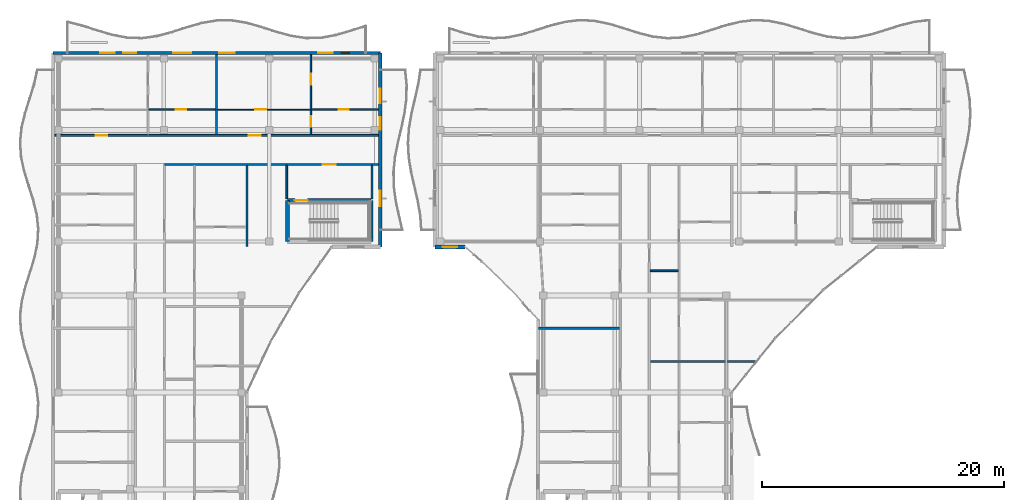
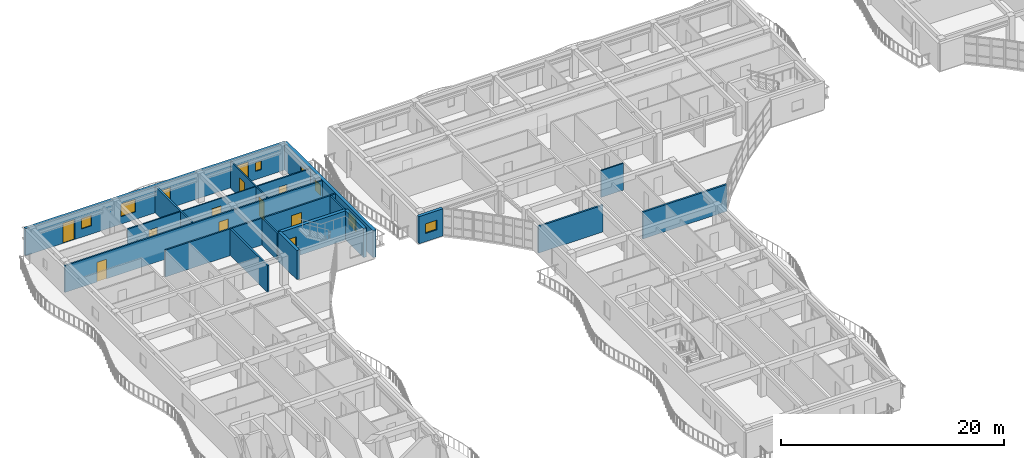
# One storey, part 35 of 76: 19 walls, 12 doors, 7 windows, 19 openings.
"""IFC4 building model written with IfcOpenShell, lengths in metres."""

from ifc_helpers import new_model, si_unit, direction, frame, frame_2d, origin, place, context, subcontext, project, spatial, rectangle, extrude, material, layer, layer_set, type_object, element, fill, save


model = new_model("IFC4")

# Units and contexts
model_context = context("Model", 3, precision=1e-05, world=origin(), true_north=direction((0.0, 1.0)))
body_context = subcontext(model_context, "Body", "Model", "MODEL_VIEW")
ifc_project = project(units=[si_unit("LENGTHUNIT", "METRE"), si_unit("AREAUNIT", "SQUARE_METRE"), si_unit("VOLUMEUNIT", "CUBIC_METRE"), si_unit("PLANEANGLEUNIT", "RADIAN"), si_unit("MASSUNIT", "GRAM", prefix="KILO")], contexts=[model_context])

# Site, building, storey
site_placement = place(None, origin())
site = spatial("IfcSite", under=ifc_project, at=site_placement, CompositionType="ELEMENT")
building_placement = place(site_placement, origin())
building = spatial("IfcBuilding", under=site, at=building_placement, Name="Keldmere Railside Commons", CompositionType="ELEMENT")
storey_placement = place(building_placement, frame((0.0, 0.0, 13.760009765625)))
storey = spatial("IfcBuildingStorey", under=building, at=storey_placement, Name="L04", CompositionType="ELEMENT", Elevation=13.760009765625)

# Walls
ifc_material_1 = material(Name="Acoustic Gypsum Board Partition", Category="gypsum")
ifc_layer_1 = layer(ifc_material_1, 0.179931640625, Name="Acoustic Demising Partition 180")
ifc_layer_set_1 = layer_set([ifc_layer_1], Name="Acoustic Gypsum Board Partition")
wall_type_1 = type_object("IfcWallType", Name="Acoustic Demising Partition 180", PredefinedType="PARTITIONING", material=ifc_layer_set_1)
wall_1_placement = place(storey_placement, frame((24.0, 100.050048828125, 0.0), z_axis=(0.0, 0.0, 1.0), x_axis=(0.0, 1.0, 0.0)))
element("IfcWall", 1, at=wall_1_placement, inside=storey, type_object=wall_type_1, Name="IW-1 IW-L04-0332", PredefinedType="PARTITIONING", context=body_context, shape_type="SweptSolid", body=[
    extrude(rectangle(XDim=6.669921875, YDim=0.179931640625, at=frame_2d((3.3349609375, 0.0))), origin(), (0.0, 0.0, 1.0), 2.93505859375),
])
wall_2_placement = place(storey_placement, frame((21.5, 109.280029296875, 0.0), z_axis=(0.0, 0.0, 1.0), x_axis=(0.0, 1.0, 0.0)))
element("IfcWall", 2, at=wall_2_placement, inside=storey, type_object=wall_type_1, Name="IW-1 IW-L04-0352", PredefinedType="PARTITIONING", context=body_context, shape_type="SweptSolid", body=[
    extrude(rectangle(XDim=6.590087890625, YDim=0.179931640625, at=frame_2d((3.294921875, 0.0))), origin(), (0.0, 0.0, 1.0), 2.93505859375),
])
wall_3_placement = place(storey_placement, frame((57.280029296875, 90.5400390625, 0.0), z_axis=(0.0, 0.0, 1.0), x_axis=(1.0, 0.0, 0.0)))
element("IfcWall", 3, at=wall_3_placement, inside=storey, type_object=wall_type_1, Name="IW-1 IW-L04-0649", PredefinedType="PARTITIONING", context=body_context, shape_type="SweptSolid", body=[
    extrude(rectangle(XDim=8.70654296875, YDim=0.179931640625, at=frame_2d((4.353271484375, 0.0))), origin(), (0.0, 0.0, 1.0), 2.93505859375),
])
wall_4_placement = place(storey_placement, frame((48.0400390625, 93.300048828125, 0.0), z_axis=(0.0, 0.0, 1.0), x_axis=(1.0, 0.0, 0.0)))
element("IfcWall", 4, at=wall_4_placement, inside=storey, type_object=wall_type_1, Name="IW-1 IW-L04-0676", PredefinedType="PARTITIONING", context=body_context, shape_type="SweptSolid", body=[
    extrude(rectangle(XDim=6.679931640625, YDim=0.179931640625, at=frame_2d((3.33984375, 0.0))), origin(), (0.0, 0.0, 1.0), 2.93505859375),
])

# Wall, openings, doors
ifc_layer_2 = layer(ifc_material_1, 0.1201171875, Name="Apartment Interior Partition 120")
ifc_layer_set_2 = layer_set([ifc_layer_2], Name="Acoustic Gypsum Board Partition")
wall_type_2 = type_object("IfcWallType", Name="Apartment Interior Partition 120", PredefinedType="PARTITIONING", material=ifc_layer_set_2)
wall_5_placement = place(storey_placement, frame((29.280029296875, 109.280029296875, 0.0), z_axis=(0.0, 0.0, 1.0), x_axis=(0.0, 1.0, 0.0)))
wall_5 = element("IfcWall", 5, at=wall_5_placement, inside=storey, type_object=wall_type_2, Name="IW-4 IW-L04-0356", PredefinedType="PARTITIONING", context=body_context, shape_type="SweptSolid", body=[
    extrude(rectangle(XDim=6.590087890625, YDim=0.1201171875, at=frame_2d((3.294921875, 0.0))), origin(), (0.0, 0.0, 1.0), 2.93505859375),
])
opening_1_placement = place(wall_5_placement, frame((0.656005859375, 0.0, 0.0)))
opening_1 = element("IfcOpeningElement", 6, at=opening_1_placement, cuts=wall_5, Name="Opening ID-04", PredefinedType="OPENING", context=body_context, shape_type="SweptSolid", body=[
    extrude(rectangle(XDim=0.860107421875, YDim=2.10009765625, at=frame_2d((0.43017578125, 1.050048828125))), frame((0.0, 0.070068359375, 0.0), z_axis=(0.0, -1.0, 0.0), x_axis=(1.0, 0.0, 0.0)), (0.0, 0.0, 1.0), 0.14013671875),
])
opening_2_placement = place(wall_5_placement, frame((4.093017578125, 0.0, 0.0)))
opening_2 = element("IfcOpeningElement", 7, at=opening_2_placement, cuts=wall_5, Name="Opening ID-01", PredefinedType="OPENING", context=body_context, shape_type="SweptSolid", body=[
    extrude(rectangle(XDim=0.89990234375, YDim=2.10009765625, at=frame_2d((0.449951171875, 1.050048828125))), frame((0.0, 0.070068359375, 0.0), z_axis=(0.0, -1.0, 0.0), x_axis=(1.0, 0.0, 0.0)), (0.0, 0.0, 1.0), 0.14013671875),
])
ifc_material_2 = material(Name="Engineered Oak Timber", Category="wood")
door_type_1 = type_object("IfcDoorType", Name="Apartment Bathroom Door 860x2100", OperationType="NOTDEFINED", PredefinedType="DOOR", material=ifc_material_2)
door_1_placement = place(opening_1_placement, origin())
door_1 = element("IfcDoor", 8, at=door_1_placement, inside=storey, type_object=door_type_1, Name="ID-04 IDR-L04-0263", OperationType="SINGLE_SWING_LEFT", OverallHeight=2.10009765625, OverallWidth=0.860107421875, PredefinedType="DOOR", context=body_context, shape_type="SweptSolid", body=[
    extrude(rectangle(XDim=0.860107421875, YDim=2.10009765625, at=frame_2d((0.43017578125, 1.050048828125))), frame((0.0, 0.02490234375, 0.0), z_axis=(0.0, -1.0, 0.0), x_axis=(1.0, 0.0, 0.0)), (0.0, 0.0, 1.0), 0.050048828125),
])
fill(opening_1, door_1)
door_type_2 = type_object("IfcDoorType", Name="Primary Bedroom Door 900x2100", OperationType="NOTDEFINED", PredefinedType="DOOR", material=ifc_material_2)
door_2_placement = place(opening_2_placement, origin())
door_2 = element("IfcDoor", 9, at=door_2_placement, inside=storey, type_object=door_type_2, Name="ID-01 IDR-L04-0264", OperationType="SINGLE_SWING_RIGHT", OverallHeight=2.10009765625, OverallWidth=0.89990234375, PredefinedType="DOOR", context=body_context, shape_type="SweptSolid", body=[
    extrude(rectangle(XDim=0.89990234375, YDim=2.10009765625, at=frame_2d((0.449951171875, 1.050048828125))), frame((0.0, 0.02490234375, 0.0), z_axis=(0.0, -1.0, 0.0), x_axis=(1.0, 0.0, 0.0)), (0.0, 0.0, 1.0), 0.050048828125),
])
fill(opening_2, door_2)

# Wall, opening, door
ifc_layer_3 = layer(ifc_material_1, 0.10009765625, Name="Closet Light Partition 100")
ifc_layer_set_3 = layer_set([ifc_layer_3], Name="Acoustic Gypsum Board Partition")
wall_type_3 = type_object("IfcWallType", Name="Closet Light Partition 100", PredefinedType="PARTITIONING", material=ifc_layer_set_3)
wall_6_placement = place(storey_placement, frame((21.590087890625, 111.330078125, 0.0), z_axis=(0.0, 0.0, 1.0), x_axis=(1.0, 0.0, 0.0)))
wall_6 = element("IfcWall", 10, at=wall_6_placement, inside=storey, type_object=wall_type_3, Name="IW-6 IW-L04-0358", PredefinedType="PARTITIONING", context=body_context, shape_type="SweptSolid", body=[
    extrude(rectangle(XDim=7.6298828125, YDim=0.10009765625, at=frame_2d((3.81494140625, 0.0))), origin(), (0.0, 0.0, 1.0), 2.93505859375),
])
opening_3_placement = place(wall_6_placement, frame((3.075927734375, 0.0, 0.0)))
opening_3 = element("IfcOpeningElement", 11, at=opening_3_placement, cuts=wall_6, Name="Opening ID-03", PredefinedType="OPENING", context=body_context, shape_type="SweptSolid", body=[
    extrude(rectangle(XDim=0.919921875, YDim=2.10009765625, at=frame_2d((0.4599609375, 1.050048828125))), frame((0.0, 0.06005859375, 0.0), z_axis=(0.0, -1.0, 0.0), x_axis=(1.0, 0.0, 0.0)), (0.0, 0.0, 1.0), 0.1201171875),
])
door_type_3 = type_object("IfcDoorType", Name="Kitchen Pocket-Frame Swing Door 920x2100", OperationType="NOTDEFINED", PredefinedType="DOOR", material=ifc_material_2)
door_3_placement = place(opening_3_placement, origin())
door_3 = element("IfcDoor", 12, at=door_3_placement, inside=storey, type_object=door_type_3, Name="ID-03 IDR-L04-0262", OperationType="SINGLE_SWING_RIGHT", OverallHeight=2.10009765625, OverallWidth=0.919921875, PredefinedType="DOOR", context=body_context, shape_type="SweptSolid", body=[
    extrude(rectangle(XDim=0.919921875, YDim=2.10009765625, at=frame_2d((0.4599609375, 1.050048828125))), frame((0.0, 0.02490234375, 0.0), z_axis=(0.0, -1.0, 0.0), x_axis=(1.0, 0.0, 0.0)), (0.0, 0.0, 1.0), 0.050048828125),
])
fill(opening_3, door_3)

ifc_layer_4 = layer(ifc_material_1, 0.159912109375, Name="Corridor Fire Partition 160")
ifc_layer_set_4 = layer_set([ifc_layer_4], Name="Acoustic Gypsum Board Partition")
wall_type_4 = type_object("IfcWallType", Name="Corridor Fire Partition 160", PredefinedType="PARTITIONING", material=ifc_layer_set_4)
wall_7_placement = place(storey_placement, frame((17.199951171875, 106.800048828125, 0.0), z_axis=(0.0, 0.0, 1.0), x_axis=(1.0, 0.0, 0.0)))
wall_7 = element("IfcWall", 13, at=wall_7_placement, inside=storey, type_object=wall_type_4, Name="IW-2 IW-L04-0330", PredefinedType="PARTITIONING", context=body_context, shape_type="SweptSolid", body=[
    extrude(rectangle(XDim=17.64013671875, YDim=0.159912109375, at=frame_2d((8.820068359375, 0.0))), origin(), (0.0, 0.0, 1.0), 2.93505859375),
])
opening_4_placement = place(wall_7_placement, frame((13.074951171875, 0.0, 0.0)))
opening_4 = element("IfcOpeningElement", 14, at=opening_4_placement, cuts=wall_7, Name="Opening FD-1", PredefinedType="OPENING", context=body_context, shape_type="SweptSolid", body=[
    extrude(rectangle(XDim=1.050048828125, YDim=2.14990234375, at=frame_2d((0.52490234375, 1.074951171875))), frame((0.0, 0.08984375, 0.0), z_axis=(0.0, -1.0, 0.0), x_axis=(1.0, 0.0, 0.0)), (0.0, 0.0, 1.0), 0.179931640625),
])
ifc_material_3 = material(Name="Steel F-24 (S235)", Category="steel")
door_type_4 = type_object("IfcDoorType", Name="Stair Core Fire Door 1050x2150", OperationType="NOTDEFINED", PredefinedType="DOOR", material=ifc_material_3)
door_4_placement = place(opening_4_placement, origin())
door_4 = element("IfcDoor", 15, at=door_4_placement, inside=storey, type_object=door_type_4, Name="FD-1 IDR-L04-0235", OperationType="SINGLE_SWING_LEFT", OverallHeight=2.14990234375, OverallWidth=1.050048828125, PredefinedType="DOOR", context=body_context, shape_type="SweptSolid", body=[
    extrude(rectangle(XDim=1.050048828125, YDim=2.14990234375, at=frame_2d((0.52490234375, 1.074951171875))), frame((0.0, 0.02490234375, 0.0), z_axis=(0.0, -1.0, 0.0), x_axis=(1.0, 0.0, 0.0)), (0.0, 0.0, 1.0), 0.050048828125),
])
fill(opening_4, door_4)

# Wall, openings, doors
wall_8_placement = place(storey_placement, frame((8.159912109375, 109.199951171875, 0.0), z_axis=(0.0, 0.0, 1.0), x_axis=(1.0, 0.0, 0.0)))
wall_8 = element("IfcWall", 16, at=wall_8_placement, inside=storey, type_object=wall_type_4, Name="IW-2 IW-L04-0331", PredefinedType="PARTITIONING", context=body_context, shape_type="SweptSolid", body=[
    extrude(rectangle(XDim=26.68017578125, YDim=0.159912109375, at=frame_2d((13.340087890625, 0.0))), origin(), (0.0, 0.0, 1.0), 2.93505859375),
])
opening_5_placement = place(wall_8_placement, frame((3.35009765625, 0.0, 0.0)))
opening_5 = element("IfcOpeningElement", 17, at=opening_5_placement, cuts=wall_8, Name="Opening FD-7", PredefinedType="OPENING", context=body_context, shape_type="SweptSolid", body=[
    extrude(rectangle(XDim=0.97998046875, YDim=2.14990234375, at=frame_2d((0.489990234375, 1.074951171875))), frame((0.0, 0.08984375, 0.0), z_axis=(0.0, -1.0, 0.0), x_axis=(1.0, 0.0, 0.0)), (0.0, 0.0, 1.0), 0.179931640625),
])
opening_6_placement = place(wall_8_placement, frame((15.985107421875, 0.0, 0.0)))
opening_6 = element("IfcOpeningElement", 18, at=opening_6_placement, cuts=wall_8, Name="Opening FD-7", PredefinedType="OPENING", context=body_context, shape_type="SweptSolid", body=[
    extrude(rectangle(XDim=0.97998046875, YDim=2.14990234375, at=frame_2d((0.489990234375, 1.074951171875))), frame((0.0, 0.08984375, 0.0), z_axis=(0.0, -1.0, 0.0), x_axis=(1.0, 0.0, 0.0)), (0.0, 0.0, 1.0), 0.179931640625),
])
door_type_5 = type_object("IfcDoorType", Name="Apartment Entrance Acoustic Fire Door 980x2150", OperationType="NOTDEFINED", PredefinedType="DOOR", material=ifc_material_2)
door_5_placement = place(opening_5_placement, origin())
door_5 = element("IfcDoor", 19, at=door_5_placement, inside=storey, type_object=door_type_5, Name="FD-7 IDR-L04-0256", OperationType="SINGLE_SWING_RIGHT", OverallHeight=2.14990234375, OverallWidth=0.97998046875, PredefinedType="DOOR", context=body_context, shape_type="SweptSolid", body=[
    extrude(rectangle(XDim=0.97998046875, YDim=2.14990234375, at=frame_2d((0.489990234375, 1.074951171875))), frame((0.0, 0.02490234375, 0.0), z_axis=(0.0, -1.0, 0.0), x_axis=(1.0, 0.0, 0.0)), (0.0, 0.0, 1.0), 0.050048828125),
])
fill(opening_5, door_5)
door_6_placement = place(opening_6_placement, origin())
door_6 = element("IfcDoor", 20, at=door_6_placement, inside=storey, type_object=door_type_5, Name="FD-7 IDR-L04-0261", OperationType="SINGLE_SWING_LEFT", OverallHeight=2.14990234375, OverallWidth=0.97998046875, PredefinedType="DOOR", context=body_context, shape_type="SweptSolid", body=[
    extrude(rectangle(XDim=0.97998046875, YDim=2.14990234375, at=frame_2d((0.489990234375, 1.074951171875))), frame((0.0, 0.02490234375, 0.0), z_axis=(0.0, -1.0, 0.0), x_axis=(1.0, 0.0, 0.0)), (0.0, 0.0, 1.0), 0.050048828125),
])
fill(opening_6, door_6)

# Wall, openings, windows, door
ifc_material_4 = material(Name="Concrete H-35 (C35/45)", Category="concrete")
ifc_layer_5 = layer(ifc_material_4, 0.320068359375, Name="Exterior Shear Wall 320")
ifc_layer_set_5 = layer_set([ifc_layer_5], Name="Concrete H-35 (C35/45)")
wall_type_5 = type_object("IfcWallType", Name="Exterior Shear Wall 320", PredefinedType="SHEAR", material=ifc_layer_set_5)
wall_9_placement = place(storey_placement, frame((35.0, 116.0, 0.0), z_axis=(0.0, 0.0, 1.0), x_axis=(0.0, -1.0, 0.0)))
wall_9 = element("IfcWall", 21, at=wall_9_placement, inside=storey, type_object=wall_type_5, Name="ESW-2 EXTD-L04-0153", PredefinedType="SHEAR", context=body_context, shape_type="SweptSolid", body=[
    extrude(rectangle(XDim=16.0, YDim=0.320068359375, at=frame_2d((8.0, 0.0))), origin(), (0.0, 0.0, 1.0), 2.97998046875),
])
opening_7_placement = place(wall_9_placement, frame((2.949951171875, 0.0, 0.0)))
opening_7 = element("IfcOpeningElement", 22, at=opening_7_placement, cuts=wall_9, Name="Opening BD-01", PredefinedType="OPENING", context=body_context, shape_type="SweptSolid", body=[
    extrude(rectangle(XDim=1.199951171875, YDim=2.199951171875, at=frame_2d((0.60009765625, 1.10009765625))), frame((0.0, 0.169921875, 0.0), z_axis=(0.0, -1.0, 0.0), x_axis=(1.0, 0.0, 0.0)), (0.0, 0.0, 1.0), 0.340087890625),
])
opening_8_placement = place(wall_9_placement, frame((5.300048828125, 0.0, 0.89990234375)))
opening_8 = element("IfcOpeningElement", 23, at=opening_8_placement, cuts=wall_9, Name="Opening WN-13", PredefinedType="OPENING", context=body_context, shape_type="SweptSolid", body=[
    extrude(rectangle(XDim=1.050048828125, YDim=1.14990234375, at=frame_2d((0.52490234375, 0.574951171875))), frame((0.0, 0.169921875, 0.0), z_axis=(0.0, -1.0, 0.0), x_axis=(1.0, 0.0, 0.0)), (0.0, 0.0, 1.0), 0.340087890625),
])
opening_9_placement = place(wall_9_placement, frame((11.35009765625, 0.0, 0.820068359375)))
opening_9 = element("IfcOpeningElement", 24, at=opening_9_placement, cuts=wall_9, Name="Opening WN-10", PredefinedType="OPENING", context=body_context, shape_type="SweptSolid", body=[
    extrude(rectangle(XDim=1.300048828125, YDim=1.39990234375, at=frame_2d((0.64990234375, 0.699951171875))), frame((0.0, 0.169921875, 0.0), z_axis=(0.0, -1.0, 0.0), x_axis=(1.0, 0.0, 0.0)), (0.0, 0.0, 1.0), 0.340087890625),
])
ifc_material_5 = material(Name="Low-E Insulated Double Glazing", Category="glass")
window_type_1 = type_object("IfcWindowType", Name="Apartment Kitchen Casement Window 1050x1150", PartitioningType="SINGLE_PANEL", PredefinedType="WINDOW", material=ifc_material_5)
window_1_placement = place(opening_8_placement, origin())
window_1 = element("IfcWindow", 25, at=window_1_placement, inside=storey, type_object=window_type_1, Name="WN-13 WIN-L04-0088", OverallHeight=1.14990234375, OverallWidth=1.050048828125, PartitioningType="SINGLE_PANEL", PredefinedType="WINDOW", context=body_context, shape_type="SweptSolid", body=[
    extrude(rectangle(XDim=1.050048828125, YDim=1.14990234375, at=frame_2d((0.52490234375, 0.574951171875))), frame((0.0, 0.030029296875, 0.0), z_axis=(0.0, -1.0, 0.0), x_axis=(1.0, 0.0, 0.0)), (0.0, 0.0, 1.0), 0.06005859375),
])
fill(opening_8, window_1)
ifc_material_6 = material(Name="Thermally Broken Aluminium", Category="aluminium")
door_type_6 = type_object("IfcDoorType", Name="Apartment Living Wave-Balcony Glazed Door 1200x2200", OperationType="NOTDEFINED", PredefinedType="DOOR", material=ifc_material_6)
door_7_placement = place(opening_7_placement, origin())
door_7 = element("IfcDoor", 26, at=door_7_placement, inside=storey, type_object=door_type_6, Name="BD-01 DR-L04-0027", OperationType="SINGLE_SWING_LEFT", OverallHeight=2.199951171875, OverallWidth=1.199951171875, PredefinedType="DOOR", context=body_context, shape_type="SweptSolid", body=[
    extrude(rectangle(XDim=1.199951171875, YDim=2.199951171875, at=frame_2d((0.60009765625, 1.10009765625))), frame((0.0, 0.02490234375, 0.0), z_axis=(0.0, -1.0, 0.0), x_axis=(1.0, 0.0, 0.0)), (0.0, 0.0, 1.0), 0.050048828125),
])
fill(opening_7, door_7)
window_type_2 = type_object("IfcWindowType", Name="Secondary Bedroom Court Window 1300x1400", PartitioningType="SINGLE_PANEL", PredefinedType="WINDOW", material=ifc_material_5)
window_2_placement = place(opening_9_placement, origin())
window_2 = element("IfcWindow", 27, at=window_2_placement, inside=storey, type_object=window_type_2, Name="WN-10 WIN-L04-0089", OverallHeight=1.39990234375, OverallWidth=1.300048828125, PartitioningType="SINGLE_PANEL", PredefinedType="WINDOW", context=body_context, shape_type="SweptSolid", body=[
    extrude(rectangle(XDim=1.300048828125, YDim=1.39990234375, at=frame_2d((0.64990234375, 0.699951171875))), frame((0.0, 0.030029296875, 0.0), z_axis=(0.0, -1.0, 0.0), x_axis=(1.0, 0.0, 0.0)), (0.0, 0.0, 1.0), 0.06005859375),
])
fill(opening_9, window_2)

# Wall, opening, window
wall_10_placement = place(storey_placement, frame((42.0, 100.0, 0.0), z_axis=(0.0, 0.0, 1.0), x_axis=(-1.0, 0.0, 0.0)))
wall_10 = element("IfcWall", 28, at=wall_10_placement, inside=storey, type_object=wall_type_5, Name="ESW-2 EXTC-L04-0359", PredefinedType="SHEAR", context=body_context, shape_type="SweptSolid", body=[
    extrude(rectangle(XDim=2.5, YDim=0.320068359375, at=frame_2d((1.25, 0.0))), origin(), (0.0, 0.0, 1.0), 2.97998046875),
])
opening_10_placement = place(wall_10_placement, frame((0.64990234375, 0.0, 0.89990234375)))
opening_10 = element("IfcOpeningElement", 29, at=opening_10_placement, cuts=wall_10, Name="Opening WN-14", PredefinedType="OPENING", context=body_context, shape_type="SweptSolid", body=[
    extrude(rectangle(XDim=1.199951171875, YDim=1.050048828125, at=frame_2d((0.60009765625, 0.52490234375))), frame((0.0, 0.169921875, 0.0), z_axis=(0.0, -1.0, 0.0), x_axis=(1.0, 0.0, 0.0)), (0.0, 0.0, 1.0), 0.340087890625),
])
window_type_3 = type_object("IfcWindowType", Name="Apartment Kitchen Ribbon Window 1200x1050", PartitioningType="SINGLE_PANEL", PredefinedType="WINDOW", material=ifc_material_5)
window_3_placement = place(opening_10_placement, origin())
window_3 = element("IfcWindow", 30, at=window_3_placement, inside=storey, type_object=window_type_3, Name="WN-14 WIN-L04-0243", OverallHeight=1.050048828125, OverallWidth=1.199951171875, PartitioningType="SINGLE_PANEL", PredefinedType="WINDOW", context=body_context, shape_type="SweptSolid", body=[
    extrude(rectangle(XDim=1.199951171875, YDim=1.050048828125, at=frame_2d((0.60009765625, 0.52490234375))), frame((0.0, 0.030029296875, 0.0), z_axis=(0.0, -1.0, 0.0), x_axis=(1.0, 0.0, 0.0)), (0.0, 0.0, 1.0), 0.06005859375),
])
fill(opening_10, window_3)

# Walls
ifc_layer_6 = layer(ifc_material_4, 0.300048828125, Name="Interior Shear Wall 300")
ifc_layer_set_6 = layer_set([ifc_layer_6], Name="Concrete H-35 (C35/45)")
wall_type_6 = type_object("IfcWallType", Name="Interior Shear Wall 300", PredefinedType="SHEAR", material=ifc_layer_set_6)
for number, where, z_axis, x_axis, name in (
    (31, (27.35009765625, 103.820068359375, 0.0), (0.0, 0.0, 1.0), (0.0, -1.0, 0.0), "ISW-2 CORED2W-L04-0085"),
    (32, (34.25, 100.449951171875, 0.0), (0.0, 0.0, 1.0), (0.0, 1.0, 0.0), "ISW-2 CORED2E-L04-0086"),
):
    element("IfcWall", number, at=place(storey_placement, frame(where, z_axis=z_axis, x_axis=x_axis)), inside=storey, type_object=wall_type_6, Name=name, PredefinedType="SHEAR", context=body_context, shape_type="SweptSolid", body=[
        extrude(rectangle(XDim=3.3701171875, YDim=0.300048828125, at=frame_2d((1.68505859375, 0.0))), origin(), (0.0, 0.0, 1.0), 3.199951171875),
    ])

# Wall, opening, door
ifc_layer_7 = layer(ifc_material_4, 0.340087890625, Name="Interior Shear Wall 340")
ifc_layer_set_7 = layer_set([ifc_layer_7], Name="Concrete H-35 (C35/45)")
wall_type_7 = type_object("IfcWallType", Name="Interior Shear Wall 340", PredefinedType="SHEAR", material=ifc_layer_set_7)
wall_11_placement = place(storey_placement, frame((34.25, 103.820068359375, 0.0), z_axis=(0.0, 0.0, 1.0), x_axis=(-1.0, 0.0, 0.0)))
wall_11 = element("IfcWall", 33, at=wall_11_placement, inside=storey, type_object=wall_type_7, Name="ISW-1 CORED2N-L04-0084", PredefinedType="SHEAR", context=body_context, shape_type="SweptSolid", body=[
    extrude(rectangle(XDim=6.89990234375, YDim=0.340087890625, at=frame_2d((3.449951171875, 0.0))), origin(), (0.0, 0.0, 1.0), 3.199951171875),
])
opening_11_placement = place(wall_11_placement, frame((5.25, 0.0, 0.0)))
opening_11 = element("IfcOpeningElement", 34, at=opening_11_placement, cuts=wall_11, Name="Opening FD-1", PredefinedType="OPENING", context=body_context, shape_type="SweptSolid", body=[
    extrude(rectangle(XDim=1.050048828125, YDim=2.14990234375, at=frame_2d((0.52490234375, 1.074951171875))), frame((0.0, 0.179931640625, 0.0), z_axis=(0.0, -1.0, 0.0), x_axis=(1.0, 0.0, 0.0)), (0.0, 0.0, 1.0), 0.360107421875),
])
door_8_placement = place(opening_11_placement, origin())
door_8 = element("IfcDoor", 35, at=door_8_placement, inside=storey, type_object=door_type_4, Name="FD-1 D2 L04", OperationType="SINGLE_SWING_RIGHT", OverallHeight=2.14990234375, OverallWidth=1.050048828125, PredefinedType="DOOR", context=body_context, shape_type="SweptSolid", body=[
    extrude(rectangle(XDim=1.050048828125, YDim=2.14990234375, at=frame_2d((0.52490234375, 1.074951171875))), frame((0.0, 0.02490234375, 0.0), z_axis=(0.0, -1.0, 0.0), x_axis=(1.0, 0.0, 0.0)), (0.0, 0.0, 1.0), 0.050048828125),
])
fill(opening_11, door_8)

# Walls
ifc_layer_8 = layer(ifc_material_1, 0.14990234375, Name="Lobby Rated Partition 150")
ifc_layer_set_8 = layer_set([ifc_layer_8], Name="Acoustic Gypsum Board Partition")
wall_type_8 = type_object("IfcWallType", Name="Lobby Rated Partition 150", PredefinedType="PARTITIONING", material=ifc_layer_set_8)
for number, where, z_axis, x_axis, name in (
    (36, (27.280029296875, 103.989990234375, 0.0), (0.0, 0.0, 1.0), (0.0, 1.0, 0.0), "IW-3 IW-L04-0333"),
    (37, (34.320068359375, 103.989990234375, 0.0), (0.0, 0.0, 1.0), (0.0, 1.0, 0.0), "IW-3 IW-L04-0334"),
):
    element("IfcWall", number, at=place(storey_placement, frame(where, z_axis=z_axis, x_axis=x_axis)), inside=storey, type_object=wall_type_8, Name=name, PredefinedType="PARTITIONING", context=body_context, shape_type="SweptSolid", body=[
        extrude(rectangle(XDim=2.72998046875, YDim=0.14990234375, at=frame_2d((1.364990234375, 0.0))), origin(), (0.0, 0.0, 1.0), 2.93505859375),
    ])

# Wall, openings, windows, doors
ifc_material_7 = material(Name="Terracotta Brick Masonry", Category="masonry")
ifc_layer_9 = layer(ifc_material_7, 0.260009765625, Name="Terracotta Cavity Wall 260")
ifc_layer_set_9 = layer_set([ifc_layer_9], Name="Terracotta Brick Masonry")
wall_type_9 = type_object("IfcWallType", Name="Terracotta Cavity Wall 260", PredefinedType="SOLIDWALL", material=ifc_layer_set_9)
wall_12_placement = place(storey_placement, frame((8.0, 116.0, 0.0), z_axis=(0.0, 0.0, 1.0), x_axis=(1.0, 0.0, 0.0)))
wall_12 = element("IfcWall", 38, at=wall_12_placement, inside=storey, type_object=wall_type_9, Name="EW-1 EXTD-L04-0154", PredefinedType="SOLIDWALL", context=body_context, shape_type="SweptSolid", body=[
    extrude(rectangle(XDim=27.0, YDim=0.260009765625, at=frame_2d((13.5, 0.0))), origin(), (0.0, 0.0, 1.0), 2.97998046875),
])
opening_12_placement = place(wall_12_placement, frame((3.89990234375, 0.0, 0.0)))
opening_12 = element("IfcOpeningElement", 39, at=opening_12_placement, cuts=wall_12, Name="Opening BD-01", PredefinedType="OPENING", context=body_context, shape_type="SweptSolid", body=[
    extrude(rectangle(XDim=1.199951171875, YDim=2.199951171875, at=frame_2d((0.60009765625, 1.10009765625))), frame((0.0, 0.139892578125, 0.0), z_axis=(0.0, -1.0, 0.0), x_axis=(1.0, 0.0, 0.0)), (0.0, 0.0, 1.0), 0.280029296875),
])
opening_13_placement = place(wall_12_placement, frame((5.800048828125, 0.0, 0.89990234375)))
opening_13 = element("IfcOpeningElement", 40, at=opening_13_placement, cuts=wall_12, Name="Opening WN-13", PredefinedType="OPENING", context=body_context, shape_type="SweptSolid", body=[
    extrude(rectangle(XDim=1.050048828125, YDim=1.14990234375, at=frame_2d((0.52490234375, 0.574951171875))), frame((0.0, 0.139892578125, 0.0), z_axis=(0.0, -1.0, 0.0), x_axis=(1.0, 0.0, 0.0)), (0.0, 0.0, 1.0), 0.280029296875),
])
opening_14_placement = place(wall_12_placement, frame((13.699951171875, 0.0, 0.820068359375)))
opening_14 = element("IfcOpeningElement", 41, at=opening_14_placement, cuts=wall_12, Name="Opening WN-10", PredefinedType="OPENING", context=body_context, shape_type="SweptSolid", body=[
    extrude(rectangle(XDim=1.300048828125, YDim=1.39990234375, at=frame_2d((0.64990234375, 0.699951171875))), frame((0.0, 0.139892578125, 0.0), z_axis=(0.0, -1.0, 0.0), x_axis=(1.0, 0.0, 0.0)), (0.0, 0.0, 1.0), 0.280029296875),
])
opening_15_placement = place(wall_12_placement, frame((21.89990234375, 0.0, 0.0)))
opening_15 = element("IfcOpeningElement", 42, at=opening_15_placement, cuts=wall_12, Name="Opening BD-01", PredefinedType="OPENING", context=body_context, shape_type="SweptSolid", body=[
    extrude(rectangle(XDim=1.199951171875, YDim=2.199951171875, at=frame_2d((0.60009765625, 1.10009765625))), frame((0.0, 0.139892578125, 0.0), z_axis=(0.0, -1.0, 0.0), x_axis=(1.0, 0.0, 0.0)), (0.0, 0.0, 1.0), 0.280029296875),
])
opening_16_placement = place(wall_12_placement, frame((23.800048828125, 0.0, 0.89990234375)))
opening_16 = element("IfcOpeningElement", 43, at=opening_16_placement, cuts=wall_12, Name="Opening WN-15", PredefinedType="OPENING", context=body_context, shape_type="SweptSolid", body=[
    extrude(rectangle(XDim=0.64990234375, YDim=0.949951171875, at=frame_2d((0.324951171875, 0.47509765625))), frame((0.0, 0.139892578125, 0.0), z_axis=(0.0, -1.0, 0.0), x_axis=(1.0, 0.0, 0.0)), (0.0, 0.0, 1.0), 0.280029296875),
])
opening_17_placement = place(wall_12_placement, frame((9.89990234375, 0.0, 0.820068359375)))
opening_17 = element("IfcOpeningElement", 44, at=opening_17_placement, cuts=wall_12, Name="Opening WN-06", PredefinedType="OPENING", context=body_context, shape_type="SweptSolid", body=[
    extrude(rectangle(XDim=1.5, YDim=1.39990234375, at=frame_2d((0.75, 0.699951171875))), frame((0.0, 0.139892578125, 0.0), z_axis=(0.0, -1.0, 0.0), x_axis=(1.0, 0.0, 0.0)), (0.0, 0.0, 1.0), 0.280029296875),
])
window_4_placement = place(opening_13_placement, origin())
window_4 = element("IfcWindow", 45, at=window_4_placement, inside=storey, type_object=window_type_1, Name="WN-13 WIN-L04-0090", OverallHeight=1.14990234375, OverallWidth=1.050048828125, PartitioningType="SINGLE_PANEL", PredefinedType="WINDOW", context=body_context, shape_type="SweptSolid", body=[
    extrude(rectangle(XDim=1.050048828125, YDim=1.14990234375, at=frame_2d((0.52490234375, 0.574951171875))), frame((0.0, 0.030029296875, 0.0), z_axis=(0.0, -1.0, 0.0), x_axis=(1.0, 0.0, 0.0)), (0.0, 0.0, 1.0), 0.06005859375),
])
fill(opening_13, window_4)
door_9_placement = place(opening_12_placement, origin())
door_9 = element("IfcDoor", 46, at=door_9_placement, inside=storey, type_object=door_type_6, Name="BD-01 DR-L04-0028", OperationType="SINGLE_SWING_RIGHT", OverallHeight=2.199951171875, OverallWidth=1.199951171875, PredefinedType="DOOR", context=body_context, shape_type="SweptSolid", body=[
    extrude(rectangle(XDim=1.199951171875, YDim=2.199951171875, at=frame_2d((0.60009765625, 1.10009765625))), frame((0.0, 0.02490234375, 0.0), z_axis=(0.0, -1.0, 0.0), x_axis=(1.0, 0.0, 0.0)), (0.0, 0.0, 1.0), 0.050048828125),
])
fill(opening_12, door_9)
door_10_placement = place(opening_15_placement, origin())
door_10 = element("IfcDoor", 47, at=door_10_placement, inside=storey, type_object=door_type_6, Name="BD-01 DR-L04-0029", OperationType="SINGLE_SWING_LEFT", OverallHeight=2.199951171875, OverallWidth=1.199951171875, PredefinedType="DOOR", context=body_context, shape_type="SweptSolid", body=[
    extrude(rectangle(XDim=1.199951171875, YDim=2.199951171875, at=frame_2d((0.60009765625, 1.10009765625))), frame((0.0, 0.02490234375, 0.0), z_axis=(0.0, -1.0, 0.0), x_axis=(1.0, 0.0, 0.0)), (0.0, 0.0, 1.0), 0.050048828125),
])
fill(opening_15, door_10)
window_type_4 = type_object("IfcWindowType", Name="Exterior Bathroom Frosted Window 650x950", PartitioningType="SINGLE_PANEL", PredefinedType="WINDOW", material=ifc_material_5)
window_5_placement = place(opening_16_placement, origin())
window_5 = element("IfcWindow", 48, at=window_5_placement, inside=storey, type_object=window_type_4, Name="WN-15 WIN-L04-0092", OverallHeight=0.949951171875, OverallWidth=0.64990234375, PartitioningType="SINGLE_PANEL", PredefinedType="WINDOW", context=body_context, shape_type="SweptSolid", body=[
    extrude(rectangle(XDim=0.64990234375, YDim=0.949951171875, at=frame_2d((0.324951171875, 0.47509765625))), frame((0.0, 0.030029296875, 0.0), z_axis=(0.0, -1.0, 0.0), x_axis=(1.0, 0.0, 0.0)), (0.0, 0.0, 1.0), 0.06005859375),
])
fill(opening_16, window_5)
window_type_5 = type_object("IfcWindowType", Name="Primary Bedroom North Window 1500x1400", PartitioningType="SINGLE_PANEL", PredefinedType="WINDOW", material=ifc_material_5)
window_6_placement = place(opening_17_placement, origin())
window_6 = element("IfcWindow", 49, at=window_6_placement, inside=storey, type_object=window_type_5, Name="WN-06 WIN-L04-9030", OverallHeight=1.39990234375, OverallWidth=1.5, PartitioningType="SINGLE_PANEL", PredefinedType="WINDOW", context=body_context, shape_type="SweptSolid", body=[
    extrude(rectangle(XDim=1.5, YDim=1.39990234375, at=frame_2d((0.75, 0.699951171875))), frame((0.0, 0.030029296875, 0.0), z_axis=(0.0, -1.0, 0.0), x_axis=(1.0, 0.0, 0.0)), (0.0, 0.0, 1.0), 0.06005859375),
])
fill(opening_17, window_6)
window_7_placement = place(opening_14_placement, origin())
window_7 = element("IfcWindow", 50, at=window_7_placement, inside=storey, type_object=window_type_2, Name="WN-10 WIN-L04-0091", OverallHeight=1.39990234375, OverallWidth=1.300048828125, PartitioningType="SINGLE_PANEL", PredefinedType="WINDOW", context=body_context, shape_type="SweptSolid", body=[
    extrude(rectangle(XDim=1.300048828125, YDim=1.39990234375, at=frame_2d((0.64990234375, 0.699951171875))), frame((0.0, 0.030029296875, 0.0), z_axis=(0.0, -1.0, 0.0), x_axis=(1.0, 0.0, 0.0)), (0.0, 0.0, 1.0), 0.06005859375),
])
fill(opening_14, window_7)

# Wall, opening, door
ifc_layer_10 = layer(ifc_material_1, 0.139892578125, Name="Wet-Room Sanitary Partition 140")
ifc_layer_set_10 = layer_set([ifc_layer_10], Name="Acoustic Gypsum Board Partition")
wall_type_10 = type_object("IfcWallType", Name="Wet-Room Sanitary Partition 140", PredefinedType="PARTITIONING", material=ifc_layer_set_10)
wall_13_placement = place(storey_placement, frame((15.89990234375, 111.330078125, 0.0), z_axis=(0.0, 0.0, 1.0), x_axis=(1.0, 0.0, 0.0)))
wall_13 = element("IfcWall", 51, at=wall_13_placement, inside=storey, type_object=wall_type_10, Name="IW-5 IW-L04-0354", PredefinedType="PARTITIONING", context=body_context, shape_type="SweptSolid", body=[
    extrude(rectangle(XDim=5.510009765625, YDim=0.139892578125, at=frame_2d((2.7548828125, 0.0))), origin(), (0.0, 0.0, 1.0), 2.93505859375),
])
opening_18_placement = place(wall_13_placement, frame((2.22802734375, 0.0, 0.0)))
opening_18 = element("IfcOpeningElement", 52, at=opening_18_placement, cuts=wall_13, Name="Opening ID-06", PredefinedType="OPENING", context=body_context, shape_type="SweptSolid", body=[
    extrude(rectangle(XDim=0.85009765625, YDim=2.050048828125, at=frame_2d((0.425048828125, 1.02490234375))), frame((0.0, 0.079833984375, 0.0), z_axis=(0.0, -1.0, 0.0), x_axis=(1.0, 0.0, 0.0)), (0.0, 0.0, 1.0), 0.159912109375),
])
door_type_7 = type_object("IfcDoorType", Name="Storage Closet Door 850x2050", OperationType="NOTDEFINED", PredefinedType="DOOR", material=ifc_material_2)
door_11_placement = place(opening_18_placement, origin())
door_11 = element("IfcDoor", 53, at=door_11_placement, inside=storey, type_object=door_type_7, Name="ID-06 IDR-L04-0260", OperationType="SINGLE_SWING_RIGHT", OverallHeight=2.050048828125, OverallWidth=0.85009765625, PredefinedType="DOOR", context=body_context, shape_type="SweptSolid", body=[
    extrude(rectangle(XDim=0.85009765625, YDim=2.050048828125, at=frame_2d((0.425048828125, 1.02490234375))), frame((0.0, 0.02490234375, 0.0), z_axis=(0.0, -1.0, 0.0), x_axis=(1.0, 0.0, 0.0)), (0.0, 0.0, 1.0), 0.050048828125),
])
fill(opening_18, door_11)

wall_14_placement = place(storey_placement, frame((29.340087890625, 111.330078125, 0.0), z_axis=(0.0, 0.0, 1.0), x_axis=(1.0, 0.0, 0.0)))
wall_14 = element("IfcWall", 54, at=wall_14_placement, inside=storey, type_object=wall_type_10, Name="IW-5 IW-L04-0357", PredefinedType="PARTITIONING", context=body_context, shape_type="SweptSolid", body=[
    extrude(rectangle(XDim=5.5, YDim=0.139892578125, at=frame_2d((2.75, 0.0))), origin(), (0.0, 0.0, 1.0), 2.93505859375),
])
opening_19_placement = place(wall_14_placement, frame((2.22412109375, 0.0, 0.0)))
opening_19 = element("IfcOpeningElement", 55, at=opening_19_placement, cuts=wall_14, Name="Opening ID-06", PredefinedType="OPENING", context=body_context, shape_type="SweptSolid", body=[
    extrude(rectangle(XDim=0.85009765625, YDim=2.050048828125, at=frame_2d((0.425048828125, 1.02490234375))), frame((0.0, 0.079833984375, 0.0), z_axis=(0.0, -1.0, 0.0), x_axis=(1.0, 0.0, 0.0)), (0.0, 0.0, 1.0), 0.159912109375),
])
door_12_placement = place(opening_19_placement, origin())
door_12 = element("IfcDoor", 56, at=door_12_placement, inside=storey, type_object=door_type_7, Name="ID-06 IDR-L04-0265", OperationType="SINGLE_SWING_LEFT", OverallHeight=2.050048828125, OverallWidth=0.85009765625, PredefinedType="DOOR", context=body_context, shape_type="SweptSolid", body=[
    extrude(rectangle(XDim=0.85009765625, YDim=2.050048828125, at=frame_2d((0.425048828125, 1.02490234375))), frame((0.0, 0.02490234375, 0.0), z_axis=(0.0, -1.0, 0.0), x_axis=(1.0, 0.0, 0.0)), (0.0, 0.0, 1.0), 0.050048828125),
])
fill(opening_19, door_12)

# Wall
wall_15_placement = place(storey_placement, frame((57.280029296875, 98.030029296875, 0.0), z_axis=(0.0, 0.0, 1.0), x_axis=(1.0, 0.0, 0.0)))
element("IfcWall", 57, at=wall_15_placement, inside=storey, type_object=wall_type_10, Name="IW-5 IW-L04-0659", PredefinedType="PARTITIONING", context=body_context, shape_type="SweptSolid", body=[
    extrude(rectangle(XDim=2.320068359375, YDim=0.139892578125, at=frame_2d((1.16015625, 0.0))), origin(), (0.0, 0.0, 1.0), 2.93505859375),
])

save(model, "model.ifc")
